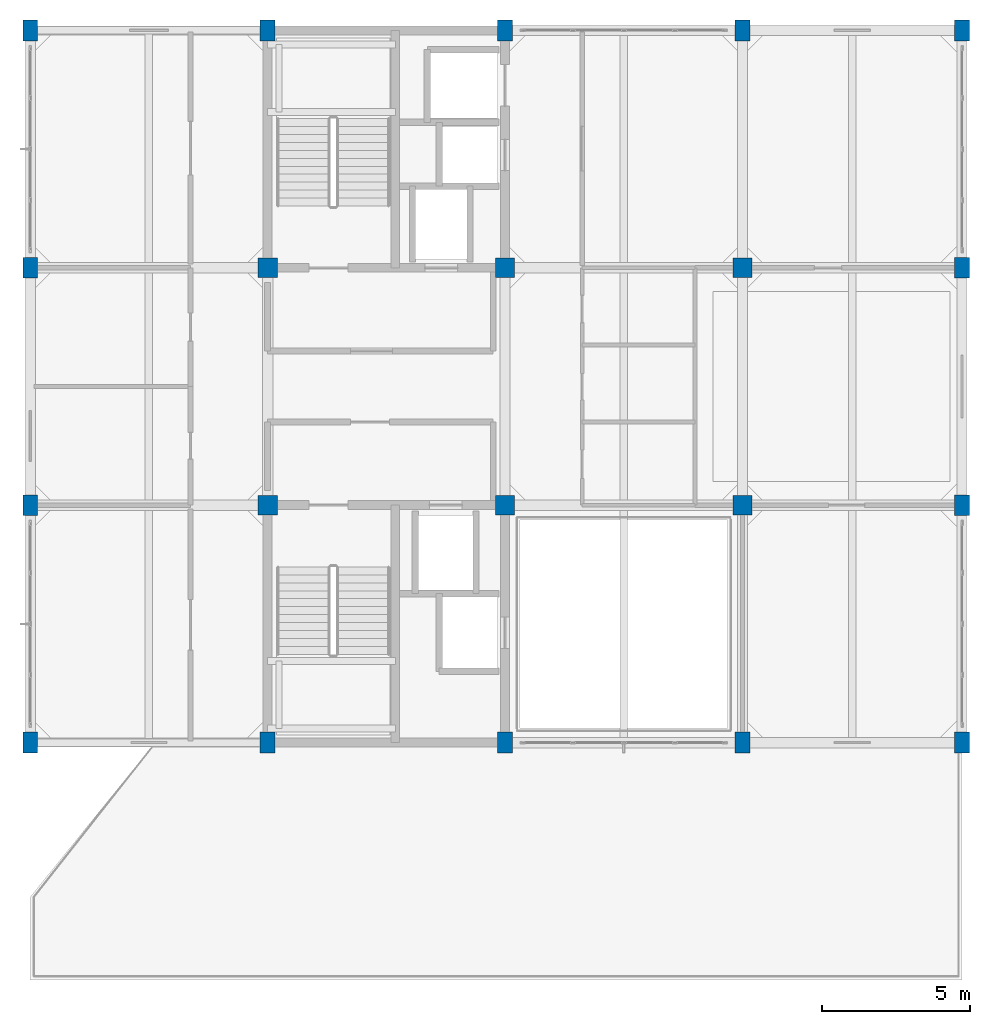
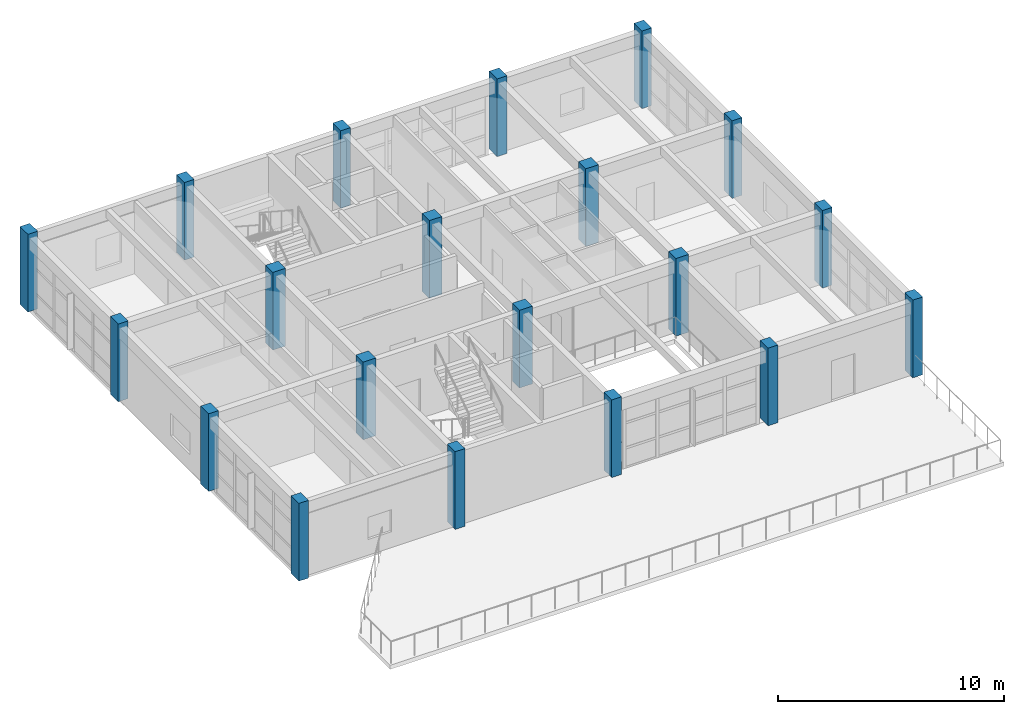
# One storey, part 1 of 20: 20 columns.
"""IFC4 building model written with IfcOpenShell, lengths in metres."""

from ifc_helpers import new_model, si_unit, direction, frame, origin, origin_2d, place, context, subcontext, project, spatial, rectangle, extrude, material, material_profile, profile_set, type_object, element, save


model = new_model("IFC4")

# Units and contexts
model_context = context("Model", 3, precision=1e-05, world=origin(), true_north=direction((0.0, 1.0)))
body_context = subcontext(model_context, "Body", "Model", "MODEL_VIEW")
ifc_project = project(units=[si_unit("LENGTHUNIT", "METRE"), si_unit("AREAUNIT", "SQUARE_METRE"), si_unit("VOLUMEUNIT", "CUBIC_METRE"), si_unit("PLANEANGLEUNIT", "RADIAN"), si_unit("MASSUNIT", "GRAM", prefix="KILO")], contexts=[model_context])

# Site, building, storey
site_placement = place(None, origin())
site = spatial("IfcSite", under=ifc_project, at=site_placement, CompositionType="ELEMENT")
building_placement = place(site_placement, origin())
building = spatial("IfcBuilding", under=site, at=building_placement, Name="Canggui Botanical Conservatory", CompositionType="ELEMENT")
storey_placement = place(building_placement, frame((0.0, 0.0, 57.0)))
storey = spatial("IfcBuildingStorey", under=building, at=storey_placement, Name="L14", CompositionType="ELEMENT", Elevation=57.0)

# Columns
ifc_material = material(Name="Concrete C35", Category="concrete")
ifc_material_profile_1 = material_profile(ifc_material, rectangle(XDim=0.64990234375, YDim=0.64990234375, at=origin_2d()), Name="RC 650x650")
ifc_profile_set_1 = profile_set([ifc_material_profile_1], Name="Concrete C35")
column_type_1 = type_object("IfcColumnType", Name="COL-KZ10", PredefinedType="COLUMN", material=ifc_profile_set_1)
for number, where, z_axis, x_axis, name in (
    (1, (154.0, 50.0, 0.0), (0.0, 0.0, 1.0), (1.0, 0.0, 0.0), "Tower RC Column L14 (154,50)"),
    (2, (154.0, 58.0, 0.0), (0.0, 0.0, 1.0), (1.0, 0.0, 0.0), "Tower RC Column L14 (154,58)"),
    (3, (162.0, 50.0, 0.0), (0.0, 0.0, 1.0), (1.0, 0.0, 0.0), "Tower RC Column L14 (162,50)"),
    (4, (162.0, 58.0, 0.0), (0.0, 0.0, 1.0), (1.0, 0.0, 0.0), "Tower RC Column L14 (162,58)"),
    (5, (170.0, 50.0, 0.0), (0.0, 0.0, 1.0), (1.0, 0.0, 0.0), "Tower RC Column L14 (170,50)"),
    (6, (170.0, 58.0, 0.0), (0.0, 0.0, 1.0), (1.0, 0.0, 0.0), "Tower RC Column L14 (170,58)"),
):
    element("IfcColumn", number, at=place(storey_placement, frame(where, z_axis=z_axis, x_axis=x_axis)), inside=storey, type_object=column_type_1, Name=name, PredefinedType="COLUMN", context=body_context, shape_type="SweptSolid", body=[
        extrude(rectangle(XDim=0.64990234375, YDim=0.64990234375, at=origin_2d()), origin(), (0.0, 0.0, 1.0), 4.199951171875),
    ])
ifc_material_profile_2 = material_profile(ifc_material, rectangle(XDim=0.5, YDim=0.699951171875, at=origin_2d()), Name="RC 500x700")
ifc_profile_set_2 = profile_set([ifc_material_profile_2], Name="Concrete C35")
column_type_2 = type_object("IfcColumnType", Name="COL-KZ18", PredefinedType="COLUMN", material=ifc_profile_set_2)
for number, where, z_axis, x_axis, name in (
    (7, (146.0, 42.0, 0.0), (0.0, 0.0, 1.0), (1.0, 0.0, 0.0), "Tower RC Column L14 (146,42)"),
    (8, (146.0, 50.0, 0.0), (0.0, 0.0, 1.0), (1.0, 0.0, 0.0), "Tower RC Column L14 (146,50)"),
    (9, (146.0, 58.0, 0.0), (0.0, 0.0, 1.0), (1.0, 0.0, 0.0), "Tower RC Column L14 (146,58)"),
    (10, (146.0, 66.0, 0.0), (0.0, 0.0, 1.0), (1.0, 0.0, 0.0), "Tower RC Column L14 (146,66)"),
    (11, (154.0, 42.0, 0.0), (0.0, 0.0, 1.0), (1.0, 0.0, 0.0), "Tower RC Column L14 (154,42)"),
    (12, (154.0, 66.0, 0.0), (0.0, 0.0, 1.0), (1.0, 0.0, 0.0), "Tower RC Column L14 (154,66)"),
    (13, (162.0, 42.0, 0.0), (0.0, 0.0, 1.0), (1.0, 0.0, 0.0), "Tower RC Column L14 (162,42)"),
    (14, (162.0, 66.0, 0.0), (0.0, 0.0, 1.0), (1.0, 0.0, 0.0), "Tower RC Column L14 (162,66)"),
    (15, (170.0, 42.0, 0.0), (0.0, 0.0, 1.0), (1.0, 0.0, 0.0), "Tower RC Column L14 (170,42)"),
    (16, (170.0, 66.0, 0.0), (0.0, 0.0, 1.0), (1.0, 0.0, 0.0), "Tower RC Column L14 (170,66)"),
    (17, (177.39990234375, 42.0, 0.0), (0.0, 0.0, 1.0), (1.0, 0.0, 0.0), "Tower RC Column L14 (178,42)"),
    (18, (177.39990234375, 50.0, 0.0), (0.0, 0.0, 1.0), (1.0, 0.0, 0.0), "Tower RC Column L14 (178,50)"),
    (19, (177.39990234375, 58.0, 0.0), (0.0, 0.0, 1.0), (1.0, 0.0, 0.0), "Tower RC Column L14 (178,58)"),
    (20, (177.39990234375, 66.0, 0.0), (0.0, 0.0, 1.0), (1.0, 0.0, 0.0), "Tower RC Column L14 (178,66)"),
):
    element("IfcColumn", number, at=place(storey_placement, frame(where, z_axis=z_axis, x_axis=x_axis)), inside=storey, type_object=column_type_2, Name=name, PredefinedType="COLUMN", context=body_context, shape_type="SweptSolid", body=[
        extrude(rectangle(XDim=0.5, YDim=0.699951171875, at=origin_2d()), origin(), (0.0, 0.0, 1.0), 4.199951171875),
    ])

save(model, "model.ifc")
